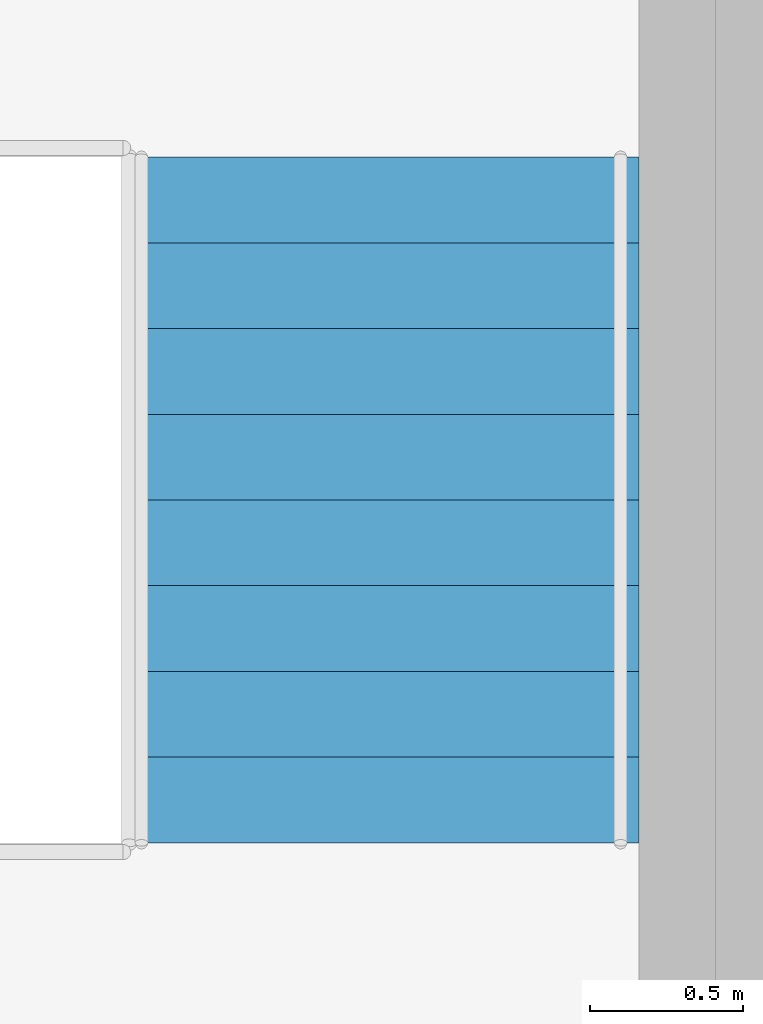
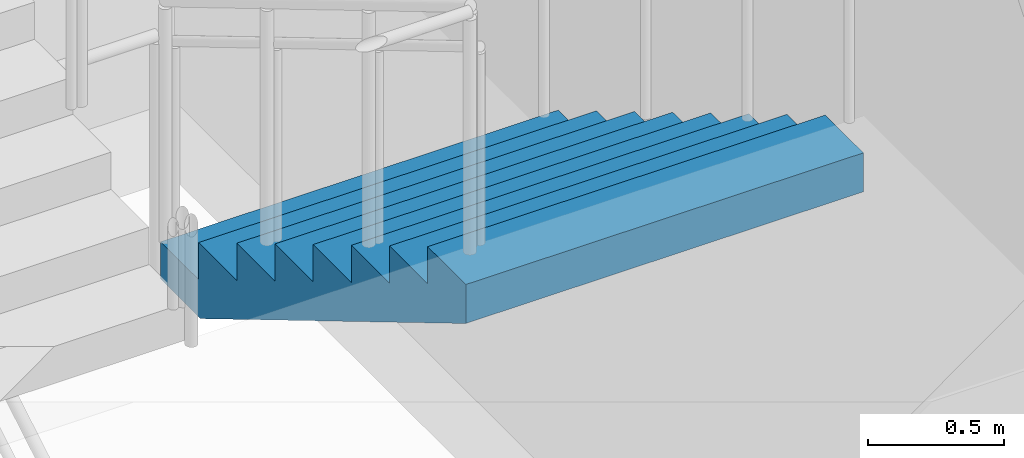
# One storey, part 29 of 57: 1 stair flight, 1 element without a shape of its own.
"""IFC4 building model written with IfcOpenShell, lengths in metres."""

from ifc_helpers import new_model, si_unit, direction, frame, origin, place, context, subcontext, project, spatial, triangles, material, type_object, element, aggregate, save


model = new_model("IFC4")

# Units and contexts
model_context = context("Model", 3, precision=1e-05, world=origin(), true_north=direction((0.0, 1.0)))
body_context = subcontext(model_context, "Body", "Model", "MODEL_VIEW")
ifc_project = project(units=[si_unit("LENGTHUNIT", "METRE"), si_unit("AREAUNIT", "SQUARE_METRE"), si_unit("VOLUMEUNIT", "CUBIC_METRE"), si_unit("PLANEANGLEUNIT", "RADIAN"), si_unit("MASSUNIT", "GRAM", prefix="KILO")], contexts=[model_context])

# Site, building, storey
site_placement = place(None, origin())
site = spatial("IfcSite", under=ifc_project, at=site_placement, CompositionType="ELEMENT")
building_placement = place(site_placement, origin())
building = spatial("IfcBuilding", under=site, at=building_placement, Name="Orbita Commons", CompositionType="ELEMENT")
storey_placement = place(building_placement, origin())
storey = spatial("IfcBuildingStorey", under=building, at=storey_placement, Name="L00", CompositionType="ELEMENT", Elevation=0.0)

# Stair, stair flight
ifc_material_1 = material(Name="Precast concrete C40/50", Category="concrete")
stair_type = type_object("IfcStairType", Name="Podium exit stair 4 flights 9 risers 167", PredefinedType="HALF_TURN_STAIR", material=ifc_material_1)
stair_placement = place(storey_placement, origin())
stair = element("IfcStair", 1, at=stair_placement, inside=storey, type_object=stair_type, Name="Podium exit stair PS1 L00", PredefinedType="HALF_TURN_STAIR")
ifc_material_2 = material(Name="Precast concrete C40/50", Category="concrete")
stair_flight_type = type_object("IfcStairFlightType", Name="Podium stair flight 9 risers 167 x 1685", PredefinedType="STRAIGHT", material=ifc_material_2)
stair_flight_placement = place(storey_placement, frame((10.4326171875, 32.06005859375, 1.5), z_axis=(0.0, 0.0, 1.0), x_axis=(0.0, -1.0, 0.0)))
stair_flight = element("IfcStairFlight", 2, at=stair_flight_placement, type_object=stair_flight_type, Name="PS1 flight 2", NumberOfRisers=9, NumberOfTreads=8, PredefinedType="STRAIGHT", RiserHeight=0.166666667, TreadLength=0.28, context=body_context, shape_type="Tessellation", body=[
    triangles([(0.0, 0.842529, 0.0), (0.0, 0.842529, 0.020833), (0.0, 0.702108, 0.020833), (0.0, 0.702108, 0.0), (0.0, 0.561686, 0.020833), (0.0, 0.561686, 0.0), (0.0, 0.421265, 0.020833), (0.0, 0.421265, 0.0), (0.0, 0.280843, 0.020833), (0.0, 0.280843, 0.0), (0.0, 0.140422, 0.020833), (0.0, 0.140422, 0.0), (0.0, 0.0, 0.020833), (0.0, 0.0, 0.0), (0.0, -0.140422, 0.020833), (0.0, -0.140422, 0.0), (0.0, -0.280843, 0.020833), (0.0, -0.280843, 0.0), (0.0, -0.421265, 0.020833), (0.0, -0.421265, 0.0), (0.0, -0.561686, 0.020833), (0.0, -0.561686, 0.0), (0.0, -0.702108, 0.020833), (0.0, -0.702108, 0.0), (0.0, -0.842529, 0.020833), (0.0, -0.842529, 0.0), (0.0, 0.842529, 0.041667), (0.0, 0.702108, 0.041667), (0.0, 0.561686, 0.041667), (0.0, 0.421265, 0.041667), (0.0, 0.280843, 0.041667), (0.0, 0.140422, 0.041667), (0.0, 0.0, 0.041667), (0.0, -0.140422, 0.041667), (0.0, -0.280843, 0.041667), (0.0, -0.421265, 0.041667), (0.0, -0.561686, 0.041667), (0.0, -0.702108, 0.041667), (0.0, -0.842529, 0.041667), (0.0, 0.842529, 0.0625), (0.0, 0.702108, 0.0625), (0.0, 0.561686, 0.0625), (0.0, 0.421265, 0.0625), (0.0, 0.280843, 0.0625), (0.0, 0.140422, 0.0625), (0.0, 0.0, 0.0625), (0.0, -0.140422, 0.0625), (0.0, -0.280843, 0.0625), (0.0, -0.421265, 0.0625), (0.0, -0.561686, 0.0625), (0.0, -0.702108, 0.0625), (0.0, -0.842529, 0.0625), (0.0, 0.842529, 0.083333), (0.0, 0.702108, 0.083333), (0.0, 0.561686, 0.083333), (0.0, 0.421265, 0.083333), (0.0, 0.280843, 0.083333), (0.0, 0.140422, 0.083333), (0.0, 0.0, 0.083333), (0.0, -0.140422, 0.083333), (0.0, -0.280843, 0.083333), (0.0, -0.421265, 0.083333), (0.0, -0.561686, 0.083333), (0.0, -0.702108, 0.083333), (0.0, -0.842529, 0.083333), (0.0, 0.842529, 0.104167), (0.0, 0.702108, 0.104167), (0.0, 0.561686, 0.104167), (0.0, 0.421265, 0.104167), (0.0, 0.280843, 0.104167), (0.0, 0.140422, 0.104167), (0.0, 0.0, 0.104167), (0.0, -0.140422, 0.104167), (0.0, -0.280843, 0.104167), (0.0, -0.421265, 0.104167), (0.0, -0.561686, 0.104167), (0.0, -0.702108, 0.104167), (0.0, -0.842529, 0.104167), (0.0, 0.842529, 0.125), (0.0, 0.702108, 0.125), (0.0, 0.561686, 0.125), (0.0, 0.421265, 0.125), (0.0, 0.280843, 0.125), (0.0, 0.140422, 0.125), (0.0, 0.0, 0.125), (0.0, -0.140422, 0.125), (0.0, -0.280843, 0.125), (0.0, -0.421265, 0.125), (0.0, -0.561686, 0.125), (0.0, -0.702108, 0.125), (0.0, -0.842529, 0.125), (0.0, 0.842529, 0.145833), (0.0, 0.702108, 0.145833), (0.0, 0.561686, 0.145833), (0.0, 0.421265, 0.145833), (0.0, 0.280843, 0.145833), (0.0, 0.140422, 0.145833), (0.0, 0.0, 0.145833), (0.0, -0.140422, 0.145833), (0.0, -0.280843, 0.145833), (0.0, -0.421265, 0.145833), (0.0, -0.561686, 0.145833), (0.0, -0.702108, 0.145833), (0.0, -0.842529, 0.145833), (0.0, 0.842529, 0.166667), (0.0, 0.702108, 0.166667), (0.0, 0.561686, 0.166667), (0.0, 0.421265, 0.166667), (0.0, 0.280843, 0.166667), (0.0, 0.140422, 0.166667), (0.0, 0.0, 0.166667), (0.0, -0.140422, 0.166667), (0.0, -0.280843, 0.166667), (0.0, -0.421265, 0.166667), (0.0, -0.561686, 0.166667), (0.0, -0.702108, 0.166667), (0.0, -0.842529, 0.166667), (0.28, 0.842529, 0.166667), (0.28, 0.702108, 0.166667), (0.28, 0.561686, 0.166667), (0.28, 0.421265, 0.166667), (0.28, 0.280843, 0.166667), (0.28, 0.140422, 0.166667), (0.28, 0.0, 0.166667), (0.28, -0.140422, 0.166667), (0.28, -0.280843, 0.166667), (0.28, -0.421265, 0.166667), (0.28, -0.561686, 0.166667), (0.28, -0.702108, 0.166667), (0.28, -0.842529, 0.166667), (0.28, 0.842529, 0.333333), (0.28, 0.702108, 0.333333), (0.28, 0.561686, 0.333333), (0.28, 0.421265, 0.333333), (0.28, 0.280843, 0.333333), (0.28, 0.140422, 0.333333), (0.28, 0.0, 0.333333), (0.28, -0.140422, 0.333333), (0.28, -0.280843, 0.333333), (0.28, -0.421265, 0.333333), (0.28, -0.561686, 0.333333), (0.28, -0.702108, 0.333333), (0.28, -0.842529, 0.333333), (0.56, 0.842529, 0.333333), (0.56, 0.702108, 0.333333), (0.56, 0.561686, 0.333333), (0.56, 0.421265, 0.333333), (0.56, 0.280843, 0.333333), (0.56, 0.140422, 0.333333), (0.56, 0.0, 0.333333), (0.56, -0.140422, 0.333333), (0.56, -0.280843, 0.333333), (0.56, -0.421265, 0.333333), (0.56, -0.561686, 0.333333), (0.56, -0.702108, 0.333333), (0.56, -0.842529, 0.333333), (0.56, 0.842529, 0.5), (0.56, 0.702108, 0.5), (0.56, 0.561686, 0.5), (0.56, 0.421265, 0.5), (0.56, 0.280843, 0.5), (0.56, 0.140422, 0.5), (0.56, 0.0, 0.5), (0.56, -0.140422, 0.5), (0.56, -0.280843, 0.5), (0.56, -0.421265, 0.5), (0.56, -0.561686, 0.5), (0.56, -0.702108, 0.5), (0.56, -0.842529, 0.5), (0.84, 0.842529, 0.5), (0.84, 0.702108, 0.5), (0.84, 0.561686, 0.5), (0.84, 0.421265, 0.5), (0.84, 0.280843, 0.5), (0.84, 0.140422, 0.5), (0.84, 0.0, 0.5), (0.84, -0.140422, 0.5), (0.84, -0.280843, 0.5), (0.84, -0.421265, 0.5), (0.84, -0.561686, 0.5), (0.84, -0.702108, 0.5), (0.84, -0.842529, 0.5), (0.84, 0.842529, 0.666667), (0.84, 0.702108, 0.666667), (0.84, 0.561686, 0.666667), (0.84, 0.421265, 0.666667), (0.84, 0.280843, 0.666667), (0.84, 0.140422, 0.666667), (0.84, 0.0, 0.666667), (0.84, -0.140422, 0.666667), (0.84, -0.280843, 0.666667), (0.84, -0.421265, 0.666667), (0.84, -0.561686, 0.666667), (0.84, -0.702108, 0.666667), (0.84, -0.842529, 0.666667), (1.12, 0.842529, 0.666667), (1.12, 0.702108, 0.666667), (1.12, 0.561686, 0.666667), (1.12, 0.421265, 0.666667), (1.12, 0.280843, 0.666667), (1.12, 0.140422, 0.666667), (1.12, 0.0, 0.666667), (1.12, -0.140422, 0.666667), (1.12, -0.280843, 0.666667), (1.12, -0.421265, 0.666667), (1.12, -0.561686, 0.666667), (1.12, -0.702108, 0.666667), (1.12, -0.842529, 0.666667), (1.12, 0.842529, 0.833333), (1.12, 0.702108, 0.833333), (1.12, 0.561686, 0.833333), (1.12, 0.421265, 0.833333), (1.12, 0.280843, 0.833333), (1.12, 0.140422, 0.833333), (1.12, 0.0, 0.833333), (1.12, -0.140422, 0.833333), (1.12, -0.280843, 0.833333), (1.12, -0.421265, 0.833333), (1.12, -0.561686, 0.833333), (1.12, -0.702108, 0.833333), (1.12, -0.842529, 0.833333), (1.4, 0.842529, 0.833333), (1.4, 0.702108, 0.833333), (1.4, 0.561686, 0.833333), (1.4, 0.421265, 0.833333), (1.4, 0.280843, 0.833333), (1.4, 0.140422, 0.833333), (1.4, 0.0, 0.833333), (1.4, -0.140422, 0.833333), (1.4, -0.280843, 0.833333), (1.4, -0.421265, 0.833333), (1.4, -0.561686, 0.833333), (1.4, -0.702108, 0.833333), (1.4, -0.842529, 0.833333), (1.4, 0.842529, 1.0), (1.4, 0.702108, 1.0), (1.4, 0.561686, 1.0), (1.4, 0.421265, 1.0), (1.4, 0.280843, 1.0), (1.4, 0.140422, 1.0), (1.4, 0.0, 1.0), (1.4, -0.140422, 1.0), (1.4, -0.280843, 1.0), (1.4, -0.421265, 1.0), (1.4, -0.561686, 1.0), (1.4, -0.702108, 1.0), (1.4, -0.842529, 1.0), (1.68, 0.842529, 1.0), (1.68, 0.702108, 1.0), (1.68, 0.561686, 1.0), (1.68, 0.421265, 1.0), (1.68, 0.280843, 1.0), (1.68, 0.140422, 1.0), (1.68, 0.0, 1.0), (1.68, -0.140422, 1.0), (1.68, -0.280843, 1.0), (1.68, -0.421265, 1.0), (1.68, -0.561686, 1.0), (1.68, -0.702108, 1.0), (1.68, -0.842529, 1.0), (1.68, 0.842529, 1.166667), (1.68, 0.702108, 1.166667), (1.68, 0.561686, 1.166667), (1.68, 0.421265, 1.166667), (1.68, 0.280843, 1.166667), (1.68, 0.140422, 1.166667), (1.68, 0.0, 1.166667), (1.68, -0.140422, 1.166667), (1.68, -0.280843, 1.166667), (1.68, -0.421265, 1.166667), (1.68, -0.561686, 1.166667), (1.68, -0.702108, 1.166667), (1.68, -0.842529, 1.166667), (1.96, 0.842529, 1.166667), (1.96, 0.702108, 1.166667), (1.96, 0.561686, 1.166667), (1.96, 0.421265, 1.166667), (1.96, 0.280843, 1.166667), (1.96, 0.140422, 1.166667), (1.96, 0.0, 1.166667), (1.96, -0.140422, 1.166667), (1.96, -0.280843, 1.166667), (1.96, -0.421265, 1.166667), (1.96, -0.561686, 1.166667), (1.96, -0.702108, 1.166667), (1.96, -0.842529, 1.166667), (1.96, 0.842529, 1.333333), (1.96, 0.702108, 1.333333), (1.96, 0.561686, 1.333333), (1.96, 0.421265, 1.333333), (1.96, 0.280843, 1.333333), (1.96, 0.140422, 1.333333), (1.96, 0.0, 1.333333), (1.96, -0.140422, 1.333333), (1.96, -0.280843, 1.333333), (1.96, -0.421265, 1.333333), (1.96, -0.561686, 1.333333), (1.96, -0.702108, 1.333333), (1.96, -0.842529, 1.333333), (2.24, 0.842529, 1.333333), (2.24, 0.702108, 1.333333), (2.24, 0.561686, 1.333333), (2.24, 0.421265, 1.333333), (2.24, 0.280843, 1.333333), (2.24, 0.140422, 1.333333), (2.24, 0.0, 1.333333), (2.24, -0.140422, 1.333333), (2.24, -0.280843, 1.333333), (2.24, -0.421265, 1.333333), (2.24, -0.561686, 1.333333), (2.24, -0.702108, 1.333333), (2.24, -0.842529, 1.333333), (2.24, 0.842529, 1.311527), (2.24, 0.702108, 1.311527), (2.24, 0.561686, 1.311527), (2.24, 0.421265, 1.311527), (2.24, 0.280843, 1.311527), (2.24, 0.140422, 1.311527), (2.24, 0.0, 1.311527), (2.24, -0.140422, 1.311527), (2.24, -0.280843, 1.311527), (2.24, -0.421265, 1.311527), (2.24, -0.561686, 1.311527), (2.24, -0.702108, 1.311527), (2.24, -0.842529, 1.311527), (2.24, 0.842529, 1.289721), (2.24, 0.702108, 1.289721), (2.24, 0.561686, 1.289721), (2.24, 0.421265, 1.289721), (2.24, 0.280843, 1.289721), (2.24, 0.140422, 1.289721), (2.24, 0.0, 1.289721), (2.24, -0.140422, 1.289721), (2.24, -0.280843, 1.289721), (2.24, -0.421265, 1.289721), (2.24, -0.561686, 1.289721), (2.24, -0.702108, 1.289721), (2.24, -0.842529, 1.289721), (2.24, 0.842529, 1.267915), (2.24, 0.702108, 1.267915), (2.24, 0.561686, 1.267915), (2.24, 0.421265, 1.267915), (2.24, 0.280843, 1.267915), (2.24, 0.140422, 1.267915), (2.24, 0.0, 1.267915), (2.24, -0.140422, 1.267915), (2.24, -0.280843, 1.267915), (2.24, -0.421265, 1.267915), (2.24, -0.561686, 1.267915), (2.24, -0.702108, 1.267915), (2.24, -0.842529, 1.267915), (2.24, 0.842529, 1.246109), (2.24, 0.702108, 1.246109), (2.24, 0.561686, 1.246109), (2.24, 0.421265, 1.246109), (2.24, 0.280843, 1.246109), (2.24, 0.140422, 1.246109), (2.24, 0.0, 1.246109), (2.24, -0.140422, 1.246109), (2.24, -0.280843, 1.246109), (2.24, -0.421265, 1.246109), (2.24, -0.561686, 1.246109), (2.24, -0.702108, 1.246109), (2.24, -0.842529, 1.246109), (2.24, 0.842529, 1.224303), (2.24, 0.702108, 1.224303), (2.24, 0.561686, 1.224303), (2.24, 0.421265, 1.224303), (2.24, 0.280843, 1.224303), (2.24, 0.140422, 1.224303), (2.24, 0.0, 1.224303), (2.24, -0.140422, 1.224303), (2.24, -0.280843, 1.224303), (2.24, -0.421265, 1.224303), (2.24, -0.561686, 1.224303), (2.24, -0.702108, 1.224303), (2.24, -0.842529, 1.224303), (2.24, 0.842529, 1.202497), (2.24, 0.702108, 1.202497), (2.24, 0.561686, 1.202497), (2.24, 0.421265, 1.202497), (2.24, 0.280843, 1.202497), (2.24, 0.140422, 1.202497), (2.24, 0.0, 1.202497), (2.24, -0.140422, 1.202497), (2.24, -0.280843, 1.202497), (2.24, -0.421265, 1.202497), (2.24, -0.561686, 1.202497), (2.24, -0.702108, 1.202497), (2.24, -0.842529, 1.202497), (2.24, 0.842529, 1.180691), (2.24, 0.702108, 1.180691), (2.24, 0.561686, 1.180691), (2.24, 0.421265, 1.180691), (2.24, 0.280843, 1.180691), (2.24, 0.140422, 1.180691), (2.24, 0.0, 1.180691), (2.24, -0.140422, 1.180691), (2.24, -0.280843, 1.180691), (2.24, -0.421265, 1.180691), (2.24, -0.561686, 1.180691), (2.24, -0.702108, 1.180691), (2.24, -0.842529, 1.180691), (2.24, 0.842529, 1.158885), (2.24, 0.702108, 1.158885), (2.24, 0.561686, 1.158885), (2.24, 0.421265, 1.158885), (2.24, 0.280843, 1.158885), (2.24, 0.140422, 1.158885), (2.24, 0.0, 1.158885), (2.24, -0.140422, 1.158885), (2.24, -0.280843, 1.158885), (2.24, -0.421265, 1.158885), (2.24, -0.561686, 1.158885), (2.24, -0.702108, 1.158885), (2.24, -0.842529, 1.158885), (0.293073, 0.842529, 0.0), (0.293073, 0.702108, 0.0), (0.293073, 0.561686, 0.0), (0.293073, 0.421265, 0.0), (0.293073, 0.280843, 0.0), (0.293073, 0.140422, 0.0), (0.293073, 0.0, 0.0), (0.293073, -0.140422, 0.0), (0.293073, -0.280843, 0.0), (0.293073, -0.421265, 0.0), (0.293073, -0.561686, 0.0), (0.293073, -0.702108, 0.0), (0.293073, -0.842529, 0.0)], [[3, 2, 1], [4, 3, 1], [5, 3, 4], [6, 5, 4], [7, 5, 6], [8, 7, 6], [9, 7, 8], [10, 9, 8], [11, 9, 10], [12, 11, 10], [13, 11, 12], [14, 13, 12], [15, 13, 14], [16, 15, 14], [17, 15, 16], [18, 17, 16], [19, 17, 18], [20, 19, 18], [21, 19, 20], [22, 21, 20], [23, 21, 22], [24, 23, 22], [25, 23, 24], [26, 25, 24], [28, 27, 2], [3, 28, 2], [29, 28, 3], [5, 29, 3], [30, 29, 5], [7, 30, 5], [31, 30, 7], [9, 31, 7], [32, 31, 9], [11, 32, 9], [33, 32, 11], [13, 33, 11], [34, 33, 13], [15, 34, 13], [35, 34, 15], [17, 35, 15], [36, 35, 17], [19, 36, 17], [37, 36, 19], [21, 37, 19], [38, 37, 21], [23, 38, 21], [39, 38, 23], [25, 39, 23], [41, 40, 27], [28, 41, 27], [42, 41, 28], [29, 42, 28], [43, 42, 29], [30, 43, 29], [44, 43, 30], [31, 44, 30], [45, 44, 31], [32, 45, 31], [46, 45, 32], [33, 46, 32], [47, 46, 33], [34, 47, 33], [48, 47, 34], [35, 48, 34], [49, 48, 35], [36, 49, 35], [50, 49, 36], [37, 50, 36], [51, 50, 37], [38, 51, 37], [52, 51, 38], [39, 52, 38], [54, 53, 40], [41, 54, 40], [55, 54, 41], [42, 55, 41], [56, 55, 42], [43, 56, 42], [57, 56, 43], [44, 57, 43], [58, 57, 44], [45, 58, 44], [59, 58, 45], [46, 59, 45], [60, 59, 46], [47, 60, 46], [61, 60, 47], [48, 61, 47], [62, 61, 48], [49, 62, 48], [63, 62, 49], [50, 63, 49], [64, 63, 50], [51, 64, 50], [65, 64, 51], [52, 65, 51], [67, 66, 53], [54, 67, 53], [68, 67, 54], [55, 68, 54], [69, 68, 55], [56, 69, 55], [70, 69, 56], [57, 70, 56], [71, 70, 57], [58, 71, 57], [72, 71, 58], [59, 72, 58], [73, 72, 59], [60, 73, 59], [74, 73, 60], [61, 74, 60], [75, 74, 61], [62, 75, 61], [76, 75, 62], [63, 76, 62], [77, 76, 63], [64, 77, 63], [78, 77, 64], [65, 78, 64], [80, 79, 66], [67, 80, 66], [81, 80, 67], [68, 81, 67], [82, 81, 68], [69, 82, 68], [83, 82, 69], [70, 83, 69], [84, 83, 70], [71, 84, 70], [85, 84, 71], [72, 85, 71], [86, 85, 72], [73, 86, 72], [87, 86, 73], [74, 87, 73], [88, 87, 74], [75, 88, 74], [89, 88, 75], [76, 89, 75], [90, 89, 76], [77, 90, 76], [91, 90, 77], [78, 91, 77], [93, 92, 79], [80, 93, 79], [94, 93, 80], [81, 94, 80], [95, 94, 81], [82, 95, 81], [96, 95, 82], [83, 96, 82], [97, 96, 83], [84, 97, 83], [98, 97, 84], [85, 98, 84], [99, 98, 85], [86, 99, 85], [100, 99, 86], [87, 100, 86], [101, 100, 87], [88, 101, 87], [102, 101, 88], [89, 102, 88], [103, 102, 89], [90, 103, 89], [104, 103, 90], [91, 104, 90], [106, 105, 92], [93, 106, 92], [107, 106, 93], [94, 107, 93], [108, 107, 94], [95, 108, 94], [109, 108, 95], [96, 109, 95], [110, 109, 96], [97, 110, 96], [111, 110, 97], [98, 111, 97], [112, 111, 98], [99, 112, 98], [113, 112, 99], [100, 113, 99], [114, 113, 100], [101, 114, 100], [115, 114, 101], [102, 115, 101], [116, 115, 102], [103, 116, 102], [117, 116, 103], [104, 117, 103], [119, 118, 105], [106, 119, 105], [120, 119, 106], [107, 120, 106], [121, 120, 107], [108, 121, 107], [122, 121, 108], [109, 122, 108], [123, 122, 109], [110, 123, 109], [124, 123, 110], [111, 124, 110], [125, 124, 111], [112, 125, 111], [126, 125, 112], [113, 126, 112], [127, 126, 113], [114, 127, 113], [128, 127, 114], [115, 128, 114], [129, 128, 115], [116, 129, 115], [130, 129, 116], [117, 130, 116], [132, 131, 118], [119, 132, 118], [133, 132, 119], [120, 133, 119], [134, 133, 120], [121, 134, 120], [135, 134, 121], [122, 135, 121], [136, 135, 122], [123, 136, 122], [137, 136, 123], [124, 137, 123], [138, 137, 124], [125, 138, 124], [139, 138, 125], [126, 139, 125], [140, 139, 126], [127, 140, 126], [141, 140, 127], [128, 141, 127], [142, 141, 128], [129, 142, 128], [143, 142, 129], [130, 143, 129], [145, 144, 131], [132, 145, 131], [146, 145, 132], [133, 146, 132], [147, 146, 133], [134, 147, 133], [148, 147, 134], [135, 148, 134], [149, 148, 135], [136, 149, 135], [150, 149, 136], [137, 150, 136], [151, 150, 137], [138, 151, 137], [152, 151, 138], [139, 152, 138], [153, 152, 139], [140, 153, 139], [154, 153, 140], [141, 154, 140], [155, 154, 141], [142, 155, 141], [156, 155, 142], [143, 156, 142], [158, 157, 144], [145, 158, 144], [159, 158, 145], [146, 159, 145], [160, 159, 146], [147, 160, 146], [161, 160, 147], [148, 161, 147], [162, 161, 148], [149, 162, 148], [163, 162, 149], [150, 163, 149], [164, 163, 150], [151, 164, 150], [165, 164, 151], [152, 165, 151], [166, 165, 152], [153, 166, 152], [167, 166, 153], [154, 167, 153], [168, 167, 154], [155, 168, 154], [169, 168, 155], [156, 169, 155], [171, 170, 157], [158, 171, 157], [172, 171, 158], [159, 172, 158], [173, 172, 159], [160, 173, 159], [174, 173, 160], [161, 174, 160], [175, 174, 161], [162, 175, 161], [176, 175, 162], [163, 176, 162], [177, 176, 163], [164, 177, 163], [178, 177, 164], [165, 178, 164], [179, 178, 165], [166, 179, 165], [180, 179, 166], [167, 180, 166], [181, 180, 167], [168, 181, 167], [182, 181, 168], [169, 182, 168], [184, 183, 170], [171, 184, 170], [185, 184, 171], [172, 185, 171], [186, 185, 172], [173, 186, 172], [187, 186, 173], [174, 187, 173], [188, 187, 174], [175, 188, 174], [189, 188, 175], [176, 189, 175], [190, 189, 176], [177, 190, 176], [191, 190, 177], [178, 191, 177], [192, 191, 178], [179, 192, 178], [193, 192, 179], [180, 193, 179], [194, 193, 180], [181, 194, 180], [195, 194, 181], [182, 195, 181], [197, 196, 183], [184, 197, 183], [198, 197, 184], [185, 198, 184], [199, 198, 185], [186, 199, 185], [200, 199, 186], [187, 200, 186], [201, 200, 187], [188, 201, 187], [202, 201, 188], [189, 202, 188], [203, 202, 189], [190, 203, 189], [204, 203, 190], [191, 204, 190], [205, 204, 191], [192, 205, 191], [206, 205, 192], [193, 206, 192], [207, 206, 193], [194, 207, 193], [208, 207, 194], [195, 208, 194], [210, 209, 196], [197, 210, 196], [211, 210, 197], [198, 211, 197], [212, 211, 198], [199, 212, 198], [213, 212, 199], [200, 213, 199], [214, 213, 200], [201, 214, 200], [215, 214, 201], [202, 215, 201], [216, 215, 202], [203, 216, 202], [217, 216, 203], [204, 217, 203], [218, 217, 204], [205, 218, 204], [219, 218, 205], [206, 219, 205], [220, 219, 206], [207, 220, 206], [221, 220, 207], [208, 221, 207], [223, 222, 209], [210, 223, 209], [224, 223, 210], [211, 224, 210], [225, 224, 211], [212, 225, 211], [226, 225, 212], [213, 226, 212], [227, 226, 213], [214, 227, 213], [228, 227, 214], [215, 228, 214], [229, 228, 215], [216, 229, 215], [230, 229, 216], [217, 230, 216], [231, 230, 217], [218, 231, 217], [232, 231, 218], [219, 232, 218], [233, 232, 219], [220, 233, 219], [234, 233, 220], [221, 234, 220], [236, 235, 222], [223, 236, 222], [237, 236, 223], [224, 237, 223], [238, 237, 224], [225, 238, 224], [239, 238, 225], [226, 239, 225], [240, 239, 226], [227, 240, 226], [241, 240, 227], [228, 241, 227], [242, 241, 228], [229, 242, 228], [243, 242, 229], [230, 243, 229], [244, 243, 230], [231, 244, 230], [245, 244, 231], [232, 245, 231], [246, 245, 232], [233, 246, 232], [247, 246, 233], [234, 247, 233], [249, 248, 235], [236, 249, 235], [250, 249, 236], [237, 250, 236], [251, 250, 237], [238, 251, 237], [252, 251, 238], [239, 252, 238], [253, 252, 239], [240, 253, 239], [254, 253, 240], [241, 254, 240], [255, 254, 241], [242, 255, 241], [256, 255, 242], [243, 256, 242], [257, 256, 243], [244, 257, 243], [258, 257, 244], [245, 258, 244], [259, 258, 245], [246, 259, 245], [260, 259, 246], [247, 260, 246], [262, 261, 248], [249, 262, 248], [263, 262, 249], [250, 263, 249], [264, 263, 250], [251, 264, 250], [265, 264, 251], [252, 265, 251], [266, 265, 252], [253, 266, 252], [267, 266, 253], [254, 267, 253], [268, 267, 254], [255, 268, 254], [269, 268, 255], [256, 269, 255], [270, 269, 256], [257, 270, 256], [271, 270, 257], [258, 271, 257], [272, 271, 258], [259, 272, 258], [273, 272, 259], [260, 273, 259], [275, 274, 261], [262, 275, 261], [276, 275, 262], [263, 276, 262], [277, 276, 263], [264, 277, 263], [278, 277, 264], [265, 278, 264], [279, 278, 265], [266, 279, 265], [280, 279, 266], [267, 280, 266], [281, 280, 267], [268, 281, 267], [282, 281, 268], [269, 282, 268], [283, 282, 269], [270, 283, 269], [284, 283, 270], [271, 284, 270], [285, 284, 271], [272, 285, 271], [286, 285, 272], [273, 286, 272], [288, 287, 274], [275, 288, 274], [289, 288, 275], [276, 289, 275], [290, 289, 276], [277, 290, 276], [291, 290, 277], [278, 291, 277], [292, 291, 278], [279, 292, 278], [293, 292, 279], [280, 293, 279], [294, 293, 280], [281, 294, 280], [295, 294, 281], [282, 295, 281], [296, 295, 282], [283, 296, 282], [297, 296, 283], [284, 297, 283], [298, 297, 284], [285, 298, 284], [299, 298, 285], [286, 299, 285], [301, 300, 287], [288, 301, 287], [302, 301, 288], [289, 302, 288], [303, 302, 289], [290, 303, 289], [304, 303, 290], [291, 304, 290], [305, 304, 291], [292, 305, 291], [306, 305, 292], [293, 306, 292], [307, 306, 293], [294, 307, 293], [308, 307, 294], [295, 308, 294], [309, 308, 295], [296, 309, 295], [310, 309, 296], [297, 310, 296], [311, 310, 297], [298, 311, 297], [312, 311, 298], [299, 312, 298], [314, 313, 300], [301, 314, 300], [315, 314, 301], [302, 315, 301], [316, 315, 302], [303, 316, 302], [317, 316, 303], [304, 317, 303], [318, 317, 304], [305, 318, 304], [319, 318, 305], [306, 319, 305], [320, 319, 306], [307, 320, 306], [321, 320, 307], [308, 321, 307], [322, 321, 308], [309, 322, 308], [323, 322, 309], [310, 323, 309], [324, 323, 310], [311, 324, 310], [325, 324, 311], [312, 325, 311], [327, 326, 313], [314, 327, 313], [328, 327, 314], [315, 328, 314], [329, 328, 315], [316, 329, 315], [330, 329, 316], [317, 330, 316], [331, 330, 317], [318, 331, 317], [332, 331, 318], [319, 332, 318], [333, 332, 319], [320, 333, 319], [334, 333, 320], [321, 334, 320], [335, 334, 321], [322, 335, 321], [336, 335, 322], [323, 336, 322], [337, 336, 323], [324, 337, 323], [338, 337, 324], [325, 338, 324], [340, 339, 326], [327, 340, 326], [341, 340, 327], [328, 341, 327], [342, 341, 328], [329, 342, 328], [343, 342, 329], [330, 343, 329], [344, 343, 330], [331, 344, 330], [345, 344, 331], [332, 345, 331], [346, 345, 332], [333, 346, 332], [347, 346, 333], [334, 347, 333], [348, 347, 334], [335, 348, 334], [349, 348, 335], [336, 349, 335], [350, 349, 336], [337, 350, 336], [351, 350, 337], [338, 351, 337], [353, 352, 339], [340, 353, 339], [354, 353, 340], [341, 354, 340], [355, 354, 341], [342, 355, 341], [356, 355, 342], [343, 356, 342], [357, 356, 343], [344, 357, 343], [358, 357, 344], [345, 358, 344], [359, 358, 345], [346, 359, 345], [360, 359, 346], [347, 360, 346], [361, 360, 347], [348, 361, 347], [362, 361, 348], [349, 362, 348], [363, 362, 349], [350, 363, 349], [364, 363, 350], [351, 364, 350], [366, 365, 352], [353, 366, 352], [367, 366, 353], [354, 367, 353], [368, 367, 354], [355, 368, 354], [369, 368, 355], [356, 369, 355], [370, 369, 356], [357, 370, 356], [371, 370, 357], [358, 371, 357], [372, 371, 358], [359, 372, 358], [373, 372, 359], [360, 373, 359], [374, 373, 360], [361, 374, 360], [375, 374, 361], [362, 375, 361], [376, 375, 362], [363, 376, 362], [377, 376, 363], [364, 377, 363], [379, 378, 365], [366, 379, 365], [380, 379, 366], [367, 380, 366], [381, 380, 367], [368, 381, 367], [382, 381, 368], [369, 382, 368], [383, 382, 369], [370, 383, 369], [384, 383, 370], [371, 384, 370], [385, 384, 371], [372, 385, 371], [386, 385, 372], [373, 386, 372], [387, 386, 373], [374, 387, 373], [388, 387, 374], [375, 388, 374], [389, 388, 375], [376, 389, 375], [390, 389, 376], [377, 390, 376], [392, 391, 378], [379, 392, 378], [393, 392, 379], [380, 393, 379], [394, 393, 380], [381, 394, 380], [395, 394, 381], [382, 395, 381], [396, 395, 382], [383, 396, 382], [397, 396, 383], [384, 397, 383], [398, 397, 384], [385, 398, 384], [399, 398, 385], [386, 399, 385], [400, 399, 386], [387, 400, 386], [401, 400, 387], [388, 401, 387], [402, 401, 388], [389, 402, 388], [403, 402, 389], [390, 403, 389], [405, 404, 391], [392, 405, 391], [406, 405, 392], [393, 406, 392], [407, 406, 393], [394, 407, 393], [408, 407, 394], [395, 408, 394], [409, 408, 395], [396, 409, 395], [410, 409, 396], [397, 410, 396], [411, 410, 397], [398, 411, 397], [412, 411, 398], [399, 412, 398], [413, 412, 399], [400, 413, 399], [414, 413, 400], [401, 414, 400], [415, 414, 401], [402, 415, 401], [416, 415, 402], [403, 416, 402], [418, 417, 404], [405, 418, 404], [419, 418, 405], [406, 419, 405], [420, 419, 406], [407, 420, 406], [421, 420, 407], [408, 421, 407], [422, 421, 408], [409, 422, 408], [423, 422, 409], [410, 423, 409], [424, 423, 410], [411, 424, 410], [425, 424, 411], [412, 425, 411], [426, 425, 412], [413, 426, 412], [427, 426, 413], [414, 427, 413], [428, 427, 414], [415, 428, 414], [429, 428, 415], [416, 429, 415], [4, 1, 417], [418, 4, 417], [6, 4, 418], [419, 6, 418], [8, 6, 419], [420, 8, 419], [10, 8, 420], [421, 10, 420], [12, 10, 421], [422, 12, 421], [14, 12, 422], [423, 14, 422], [16, 14, 423], [424, 16, 423], [18, 16, 424], [425, 18, 424], [20, 18, 425], [426, 20, 425], [22, 20, 426], [427, 22, 426], [24, 22, 427], [428, 24, 427], [26, 24, 428], [429, 26, 428], [404, 417, 1], [26, 429, 416], [391, 404, 1], [26, 416, 403], [378, 391, 1], [26, 403, 390], [365, 378, 1], [26, 390, 377], [352, 365, 1], [26, 377, 364], [339, 352, 1], [26, 364, 351], [326, 339, 1], [26, 351, 338], [313, 326, 1], [26, 338, 325], [287, 300, 313], [325, 312, 299], [274, 287, 313], [325, 299, 286], [248, 261, 274], [286, 273, 260], [248, 274, 313], [325, 286, 260], [222, 235, 248], [260, 247, 234], [222, 248, 313], [325, 260, 234], [196, 209, 222], [234, 221, 208], [196, 222, 313], [325, 234, 208], [170, 183, 196], [208, 195, 182], [170, 196, 313], [325, 208, 182], [144, 157, 170], [182, 169, 156], [144, 170, 313], [325, 182, 156], [118, 131, 144], [156, 143, 130], [118, 144, 313], [325, 156, 130], [118, 313, 1], [26, 325, 130], [92, 105, 118], [130, 117, 104], [79, 92, 118], [130, 104, 91], [66, 79, 118], [130, 91, 78], [53, 66, 118], [130, 78, 65], [40, 53, 118], [130, 65, 52], [27, 40, 118], [130, 52, 39], [2, 27, 118], [130, 39, 25], [1, 2, 118], [130, 25, 26]], closed=True),
])
aggregate(stair, [stair_flight])

save(model, "model.ifc")
